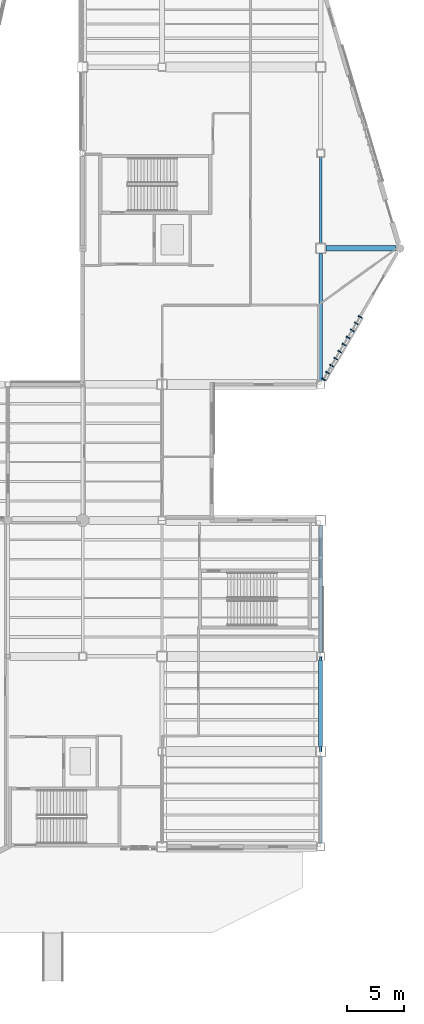
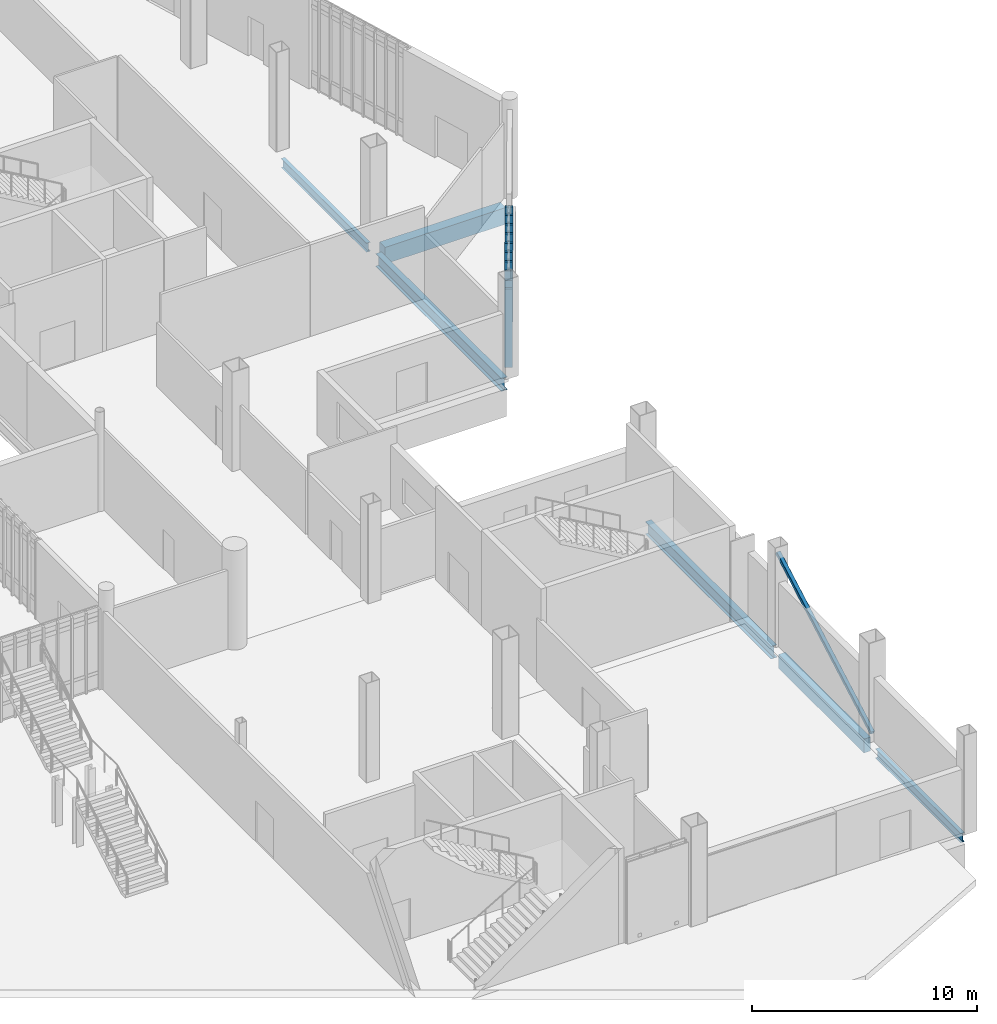
# One storey, part 33 of 111: 11 members, 6 beams, 1 element without a shape of its own.
"""IFC4 building model written with IfcOpenShell, lengths in metres."""

from ifc_helpers import new_model, si_unit, direction, frame, origin, origin_2d, place, context, subcontext, project, spatial, rectangle, hollow_rectangle, i_section, extrude, material, material_profile, profile_set, type_object, element, aggregate, save


model = new_model("IFC4")

# Units and contexts
model_context = context("Model", 3, precision=1e-05, world=origin(), true_north=direction((0.0, 1.0)))
body_context = subcontext(model_context, "Body", "Model", "MODEL_VIEW")
ifc_project = project(units=[si_unit("LENGTHUNIT", "METRE"), si_unit("AREAUNIT", "SQUARE_METRE"), si_unit("VOLUMEUNIT", "CUBIC_METRE"), si_unit("PLANEANGLEUNIT", "RADIAN"), si_unit("MASSUNIT", "GRAM", prefix="KILO")], contexts=[model_context])

# Site, building, storey
site_placement = place(None, origin())
site = spatial("IfcSite", under=ifc_project, at=site_placement, CompositionType="ELEMENT")
building_placement = place(site_placement, origin())
building = spatial("IfcBuilding", under=site, at=building_placement, Name="Larkvane Passage Sports Hall", CompositionType="ELEMENT")
storey_placement = place(building_placement, origin())
storey = spatial("IfcBuildingStorey", under=building, at=storey_placement, Name="L00", CompositionType="ELEMENT", Elevation=0.0)

# Beams
ifc_material_1 = material(Name="Concrete C40/50", Category="concrete")
ifc_material_profile_1 = material_profile(ifc_material_1, rectangle(XDim=0.5, YDim=0.89990234375, at=origin_2d()), Name="RC-BM-500x900")
ifc_profile_set_1 = profile_set([ifc_material_profile_1], Name="Concrete C40/50")
beam_type_1 = type_object("IfcBeamType", Name="BM-RC-500x900", PredefinedType="BEAM", material=ifc_profile_set_1)
beam_1_placement = place(storey_placement, frame((146.050048828125, 75.60009765625, -0.8701171875), z_axis=(1.0, 0.0, 0.0), x_axis=(0.0, 1.0, 0.0)))
element("IfcBeam", 1, at=beam_1_placement, inside=storey, type_object=beam_type_1, Name="Girder BM5-X-L00-J-0060", PredefinedType="BEAM", context=body_context, shape_type="SweptSolid", body=[
    extrude(rectangle(XDim=0.5, YDim=0.89990234375, at=origin_2d()), origin(), (0.0, 0.0, 1.0), 6.199951171875),
])
ifc_material_2 = material(Name="Steel S460N", Category="steel")
ifc_material_profile_2 = material_profile(ifc_material_2, i_section(OverallWidth=0.300048828125, OverallDepth=0.69189453125, WebThickness=0.012939453125, FlangeThickness=0.02001953125, FilletRadius=0.02197265625, at=origin_2d()), Name="H-692x300x13x20")
ifc_profile_set_2 = profile_set([ifc_material_profile_2], Name="Steel S460N")
beam_type_2 = type_object("IfcBeamType", Name="BM-STL-H692", PredefinedType="BEAM", material=ifc_profile_set_2)
beam_2_placement = place(storey_placement, frame((145.60009765625, 39.949951171875, -0.76611328125), z_axis=(0.0, 1.0, 0.0), x_axis=(-1.0, 0.0, 0.0)))
element("IfcBeam", 2, at=beam_2_placement, inside=storey, type_object=beam_type_2, Name="Girder BM5-Y-L00-19-0138", PredefinedType="BEAM", context=body_context, shape_type="SweptSolid", body=[
    extrude(i_section(OverallWidth=0.300048828125, OverallDepth=0.69189453125, WebThickness=0.012939453125, FlangeThickness=0.02001953125, FilletRadius=0.02197265625, at=origin_2d()), origin(), (0.0, 0.0, 1.0), 11.199951171875),
])
ifc_material_profile_3 = material_profile(ifc_material_2, i_section(OverallWidth=0.300048828125, OverallDepth=0.699951171875, WebThickness=0.012939453125, FlangeThickness=0.02392578125, FilletRadius=0.02197265625, at=origin_2d()), Name="H-700x300x13x24")
ifc_profile_set_3 = profile_set([ifc_material_profile_3], Name="Steel S460N")
beam_type_3 = type_object("IfcBeamType", Name="BM-STL-H700", PredefinedType="BEAM", material=ifc_profile_set_3)
beam_3_placement = place(storey_placement, frame((145.60009765625, 63.949951171875, -0.77001953125), z_axis=(0.0, 1.0, 0.0), x_axis=(-1.0, 0.0, 0.0)))
element("IfcBeam", 3, at=beam_3_placement, inside=storey, type_object=beam_type_3, Name="Girder BM5-Y-L00-19-0139", PredefinedType="BEAM", context=body_context, shape_type="SweptSolid", body=[
    extrude(i_section(OverallWidth=0.300048828125, OverallDepth=0.699951171875, WebThickness=0.012939453125, FlangeThickness=0.02392578125, FilletRadius=0.02197265625, at=origin_2d()), origin(), (0.0, 0.0, 1.0), 11.199951171875),
])

# Curtain wall, members
ifc_material_3 = material(Name="Thermally broken aluminium and low-E glazing", Category="aluminium")
curtain_wall_type = type_object("IfcCurtainWallType", Name="CW-CLINIC", PredefinedType="USERDEFINED", material=ifc_material_3)
curtain_wall_placement = place(storey_placement, origin())
curtain_wall = element("IfcCurtainWall", 4, at=curtain_wall_placement, inside=storey, type_object=curtain_wall_type, Name="Curtain wall CW5-L00-023", ObjectType="UNITISED CURTAIN WALL", PredefinedType="USERDEFINED")
ifc_material_4 = material(Name="Anodised aluminium 6063-T6", Category="aluminium")
ifc_material_profile_4 = material_profile(ifc_material_4, rectangle(XDim=0.110107421875, YDim=0.360107421875, at=origin_2d()), Name="ALU-MUL-110x360")
ifc_profile_set_4 = profile_set([ifc_material_profile_4], Name="Anodised aluminium 6063-T6")
member_type_1 = type_object("IfcMemberType", Name="CW-MUL-110x360", PredefinedType="MULLION", material=ifc_profile_set_4)
member_1_placement = place(storey_placement, frame((149.072265625, 69.552490234375, 0.0), z_axis=(0.0, 0.0, 1.0), x_axis=(-0.503867182467, -0.86378114267, 0.0)))
member_1 = element("IfcMember", 5, at=member_1_placement, type_object=member_type_1, Name="CW-05 mullion 1", PredefinedType="MULLION", context=body_context, shape_type="SweptSolid", body=[
    extrude(rectangle(XDim=0.110107421875, YDim=0.360107421875, at=origin_2d()), origin(), (0.0, 0.0, 1.0), 4.27587890625),
])
member_2_placement = place(storey_placement, frame((148.73779296875, 68.97900390625, 0.0), z_axis=(0.0, 0.0, 1.0), x_axis=(-0.503867182467, -0.86378114267, 0.0)))
member_2 = element("IfcMember", 6, at=member_2_placement, type_object=member_type_1, Name="CW-05 mullion 2", PredefinedType="MULLION", context=body_context, shape_type="SweptSolid", body=[
    extrude(rectangle(XDim=0.110107421875, YDim=0.360107421875, at=origin_2d()), origin(), (0.0, 0.0, 1.0), 4.27587890625),
])
member_3_placement = place(storey_placement, frame((148.37548828125, 68.357666015625, 0.0), z_axis=(0.0, 0.0, 1.0), x_axis=(-0.503867182467, -0.86378114267, 0.0)))
member_3 = element("IfcMember", 7, at=member_3_placement, type_object=member_type_1, Name="CW-05 mullion 3", PredefinedType="MULLION", context=body_context, shape_type="SweptSolid", body=[
    extrude(rectangle(XDim=0.110107421875, YDim=0.360107421875, at=origin_2d()), origin(), (0.0, 0.0, 1.0), 4.27587890625),
])
member_4_placement = place(storey_placement, frame((148.01318359375, 67.736572265625, 0.0), z_axis=(0.0, 0.0, 1.0), x_axis=(-0.503867182467, -0.86378114267, 0.0)))
member_4 = element("IfcMember", 8, at=member_4_placement, type_object=member_type_1, Name="CW-05 mullion 4", PredefinedType="MULLION", context=body_context, shape_type="SweptSolid", body=[
    extrude(rectangle(XDim=0.110107421875, YDim=0.360107421875, at=origin_2d()), origin(), (0.0, 0.0, 1.0), 4.27587890625),
])
member_5_placement = place(storey_placement, frame((147.650634765625, 67.115478515625, 0.0), z_axis=(0.0, 0.0, 1.0), x_axis=(-0.503867182467, -0.86378114267, 0.0)))
member_5 = element("IfcMember", 9, at=member_5_placement, type_object=member_type_1, Name="CW-05 mullion 5", PredefinedType="MULLION", context=body_context, shape_type="SweptSolid", body=[
    extrude(rectangle(XDim=0.110107421875, YDim=0.360107421875, at=origin_2d()), origin(), (0.0, 0.0, 1.0), 4.27587890625),
])
member_6_placement = place(storey_placement, frame((147.288330078125, 66.494384765625, 0.0), z_axis=(0.0, 0.0, 1.0), x_axis=(-0.503867182467, -0.86378114267, 0.0)))
member_6 = element("IfcMember", 10, at=member_6_placement, type_object=member_type_1, Name="CW-05 mullion 6", PredefinedType="MULLION", context=body_context, shape_type="SweptSolid", body=[
    extrude(rectangle(XDim=0.110107421875, YDim=0.360107421875, at=origin_2d()), origin(), (0.0, 0.0, 1.0), 4.27587890625),
])
member_7_placement = place(storey_placement, frame((146.926025390625, 65.873291015625, 0.0), z_axis=(0.0, 0.0, 1.0), x_axis=(-0.503867182467, -0.86378114267, 0.0)))
member_7 = element("IfcMember", 11, at=member_7_placement, type_object=member_type_1, Name="CW-05 mullion 7", PredefinedType="MULLION", context=body_context, shape_type="SweptSolid", body=[
    extrude(rectangle(XDim=0.110107421875, YDim=0.360107421875, at=origin_2d()), origin(), (0.0, 0.0, 1.0), 4.27587890625),
])
member_8_placement = place(storey_placement, frame((146.563720703125, 65.252197265625, 0.0), z_axis=(0.0, 0.0, 1.0), x_axis=(-0.503867182467, -0.86378114267, 0.0)))
member_8 = element("IfcMember", 12, at=member_8_placement, type_object=member_type_1, Name="CW-05 mullion 8", PredefinedType="MULLION", context=body_context, shape_type="SweptSolid", body=[
    extrude(rectangle(XDim=0.110107421875, YDim=0.360107421875, at=origin_2d()), origin(), (0.0, 0.0, 1.0), 4.27587890625),
])
member_9_placement = place(storey_placement, frame((146.201416015625, 64.631103515625, 0.0), z_axis=(0.0, 0.0, 1.0), x_axis=(-0.503867182467, -0.86378114267, 0.0)))
member_9 = element("IfcMember", 13, at=member_9_placement, type_object=member_type_1, Name="CW-05 mullion 9", PredefinedType="MULLION", context=body_context, shape_type="SweptSolid", body=[
    extrude(rectangle(XDim=0.110107421875, YDim=0.360107421875, at=origin_2d()), origin(), (0.0, 0.0, 1.0), 4.27587890625),
])
member_10_placement = place(storey_placement, frame((145.866943359375, 64.0576171875, 0.0), z_axis=(0.0, 0.0, 1.0), x_axis=(-0.503867182467, -0.86378114267, 0.0)))
member_10 = element("IfcMember", 14, at=member_10_placement, type_object=member_type_1, Name="CW-05 mullion 10", PredefinedType="MULLION", context=body_context, shape_type="SweptSolid", body=[
    extrude(rectangle(XDim=0.110107421875, YDim=0.360107421875, at=origin_2d()), origin(), (0.0, 0.0, 1.0), 4.27587890625),
])
aggregate(curtain_wall, [member_1, member_2, member_3, member_4, member_5, member_6, member_7, member_8, member_9, member_10])

# Member
ifc_material_5 = material(Name="Steel S355JR", Category="steel")
ifc_material_profile_5 = material_profile(ifc_material_5, hollow_rectangle(XDim=0.199951171875, YDim=0.199951171875, WallThickness=0.009033203125, InnerFilletRadius=0.009033203125, OuterFilletRadius=0.01806640625, at=origin_2d()), Name="SHS-200x200x9")
ifc_profile_set_5 = profile_set([ifc_material_profile_5], Name="Steel S355JR")
member_type_2 = type_object("IfcMemberType", Name="MBR-BR-SHS200", PredefinedType="BRACE", material=ifc_profile_set_5)
member_11_placement = place(storey_placement, frame((145.60009765625, 31.199951171875, 0.14990234375), z_axis=(0.0, 0.872678099195, 0.488295950408), x_axis=(-1.0, 0.0, 0.0)))
element("IfcMember", 15, at=member_11_placement, inside=storey, type_object=member_type_2, Name="Lateral frame brace L00-4", PredefinedType="BRACE", context=body_context, shape_type="SweptSolid", body=[
    extrude(hollow_rectangle(XDim=0.199951171875, YDim=0.199951171875, WallThickness=0.009033203125, InnerFilletRadius=0.009033203125, OuterFilletRadius=0.01806640625, at=origin_2d()), origin(), (0.0, 0.0, 1.0), 9.625732421875),
])

# Beams
ifc_material_profile_6 = material_profile(ifc_material_1, rectangle(XDim=0.35009765625, YDim=0.75, at=origin_2d()), Name="RC-SP-350x750")
ifc_profile_set_6 = profile_set([ifc_material_profile_6], Name="Concrete C40/50")
beam_type_4 = type_object("IfcBeamType", Name="SP-RC-350x750", PredefinedType="SPANDREL", material=ifc_profile_set_6)
beam_4_placement = place(storey_placement, frame((145.60009765625, 31.64990234375, -0.794921875), z_axis=(0.0, 1.0, 0.0), x_axis=(-1.0, 0.0, 0.0)))
element("IfcBeam", 16, at=beam_4_placement, inside=storey, type_object=beam_type_4, Name="Girder BM5-Y-L00-19-0137", PredefinedType="SPANDREL", context=body_context, shape_type="SweptSolid", body=[
    extrude(rectangle(XDim=0.35009765625, YDim=0.75, at=origin_2d()), origin(), (0.0, 0.0, 1.0), 7.60009765625),
])
ifc_material_profile_7 = material_profile(ifc_material_5, i_section(OverallWidth=0.199951171875, OverallDepth=0.5, WebThickness=0.010009765625, FlangeThickness=0.01611328125, FilletRadius=0.01806640625, at=origin_2d()), Name="H-500x200x10x16")
ifc_profile_set_7 = profile_set([ifc_material_profile_7], Name="Steel S355JR")
beam_type_5 = type_object("IfcBeamType", Name="SP-STL-H500", PredefinedType="SPANDREL", material=ifc_profile_set_7)
beam_5_placement = place(storey_placement, frame((145.60009765625, 23.14990234375, -0.669921875), z_axis=(0.0, 1.0, 0.0), x_axis=(-1.0, 0.0, 0.0)))
element("IfcBeam", 17, at=beam_5_placement, inside=storey, type_object=beam_type_5, Name="Girder BM5-Y-L00-19-0136", PredefinedType="SPANDREL", context=body_context, shape_type="SweptSolid", body=[
    extrude(i_section(OverallWidth=0.199951171875, OverallDepth=0.5, WebThickness=0.010009765625, FlangeThickness=0.01611328125, FilletRadius=0.01806640625, at=origin_2d()), origin(), (0.0, 0.0, 1.0), 7.60009765625),
])
beam_6_placement = place(storey_placement, frame((145.60009765625, 76.050048828125, -0.669921875), z_axis=(0.0, 1.0, 0.0), x_axis=(-1.0, 0.0, 0.0)))
element("IfcBeam", 18, at=beam_6_placement, inside=storey, type_object=beam_type_5, Name="Girder BM5-Y-L00-19-0140", PredefinedType="SPANDREL", context=body_context, shape_type="SweptSolid", body=[
    extrude(i_section(OverallWidth=0.199951171875, OverallDepth=0.5, WebThickness=0.010009765625, FlangeThickness=0.01611328125, FilletRadius=0.01806640625, at=origin_2d()), origin(), (0.0, 0.0, 1.0), 7.599853515625),
])

save(model, "model.ifc")
